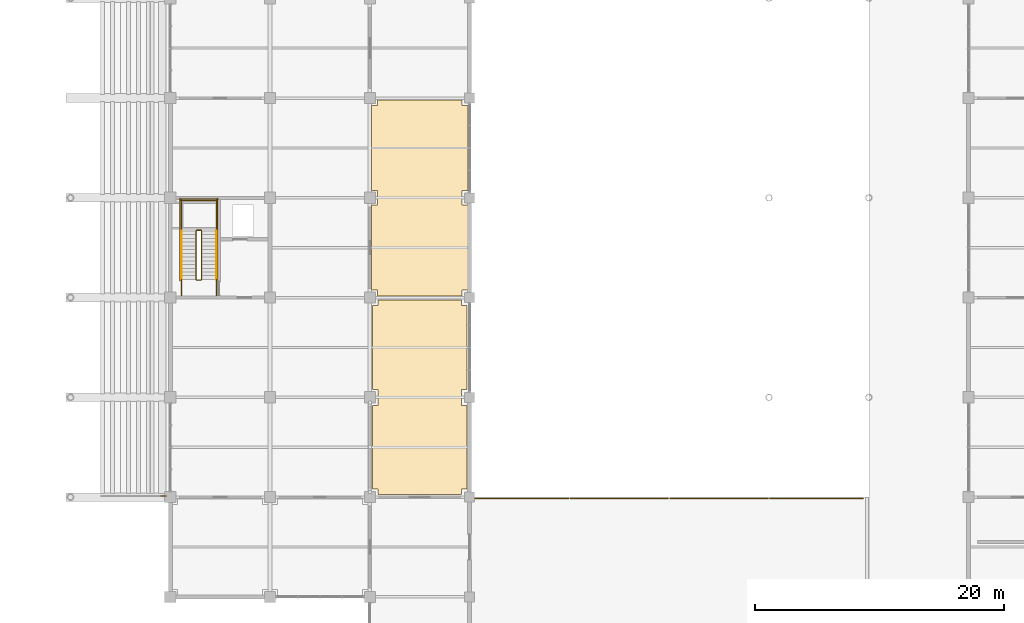
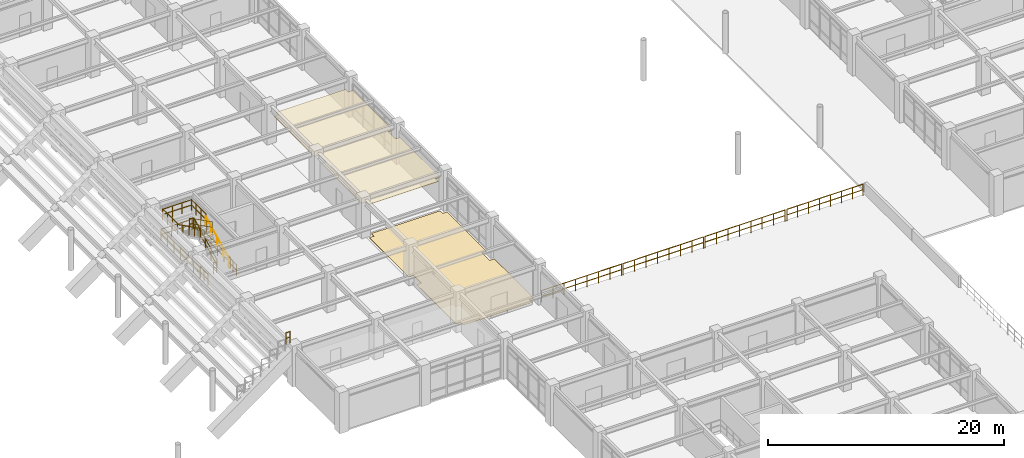
# One storey, part 112 of 118: 19 railings, 2 coverings.
"""IFC4 building model written with IfcOpenShell, lengths in metres."""

from ifc_helpers import new_model, si_unit, direction, frame, origin, origin_2d, place, context, subcontext, project, spatial, polyline, circle, outline, extrude, material, layer, layer_set, type_object, element, save


model = new_model("IFC4")

# Units and contexts
model_context = context("Model", 3, precision=1e-05, world=origin(), true_north=direction((0.0, 1.0)))
body_context = subcontext(model_context, "Body", "Model", "MODEL_VIEW")
ifc_project = project(units=[si_unit("LENGTHUNIT", "METRE"), si_unit("AREAUNIT", "SQUARE_METRE"), si_unit("VOLUMEUNIT", "CUBIC_METRE"), si_unit("PLANEANGLEUNIT", "RADIAN"), si_unit("MASSUNIT", "GRAM", prefix="KILO")], contexts=[model_context])

# Site, building, storey
site_placement = place(None, origin())
site = spatial("IfcSite", under=ifc_project, at=site_placement, CompositionType="ELEMENT")
building_placement = place(site_placement, origin())
building = spatial("IfcBuilding", under=site, at=building_placement, Name="Haebicheon Civic Stadium", CompositionType="ELEMENT")
storey_placement = place(building_placement, frame((0.0, 0.0, 14.39990234375)))
storey = spatial("IfcBuildingStorey", under=building, at=storey_placement, Name="L04", CompositionType="ELEMENT", Elevation=14.39990234375)

# Coverings
ifc_material_1 = material(Name="Perforated mineral-fibre acoustic board", Category="gypsum")
ifc_layer_1 = layer(ifc_material_1, 0.0400390625, Name="Perforated mineral-fibre acoustic board")
ifc_layer_set_1 = layer_set([ifc_layer_1], Name="Perforated mineral-fibre acoustic board")
covering_type_1 = type_object("IfcCoveringType", Name="COV-CLG-AC", PredefinedType="CEILING", material=ifc_layer_set_1)
covering_1_placement = place(storey_placement, frame((0.0, 0.0, 2.81005859375)))
element("IfcCovering", 1, at=covering_1_placement, inside=storey, type_object=covering_type_1, material=ifc_layer_set_1, Name="L04 Hospitality Suite acoustic ceiling", PredefinedType="CEILING", context=body_context, shape_type="SweptSolid", body=[
    extrude(outline(polyline([(160.594970703125, 64.14501953125), (160.594970703125, 64.594970703125), (160.14501953125, 64.594970703125), (160.14501953125, 71.405029296875), (160.594970703125, 71.405029296875), (160.594970703125, 72.594970703125), (160.14501953125, 72.594970703125), (160.14501953125, 79.405029296875), (160.594970703125, 79.405029296875), (160.594970703125, 79.85498046875), (167.405029296875, 79.85498046875), (167.405029296875, 79.405029296875), (167.85498046875, 79.405029296875), (167.85498046875, 72.594970703125), (167.405029296875, 72.594970703125), (167.405029296875, 71.405029296875), (167.85498046875, 71.405029296875), (167.85498046875, 64.594970703125), (167.405029296875, 64.594970703125), (167.405029296875, 64.14501953125), (160.594970703125, 64.14501953125)])), origin(), (0.0, 0.0, 1.0), 0.0400390625),
])
ifc_material_2 = material(Name="Quartz epoxy resin mortar", Category="concrete")
ifc_layer_2 = layer(ifc_material_2, 0.030029296875, Name="Quartz epoxy resin mortar")
ifc_layer_set_2 = layer_set([ifc_layer_2], Name="Quartz epoxy resin mortar")
covering_type_2 = type_object("IfcCoveringType", Name="COV-FLR-EPX", PredefinedType="FLOORING", material=ifc_layer_set_2)
covering_2_placement = place(storey_placement, origin())
element("IfcCovering", 2, at=covering_2_placement, inside=storey, type_object=covering_type_2, material=ifc_layer_set_2, Name="L04 Garden Terrace Dining Lounge non-slip floor finish", PredefinedType="FLOORING", context=body_context, shape_type="SweptSolid", body=[
    extrude(outline(polyline([(160.64990234375, 48.199951171875), (160.64990234375, 48.64990234375), (160.199951171875, 48.64990234375), (160.199951171875, 55.35009765625), (160.64990234375, 55.35009765625), (160.64990234375, 56.64990234375), (160.199951171875, 56.64990234375), (160.199951171875, 63.35009765625), (160.64990234375, 63.35009765625), (160.64990234375, 63.800048828125), (167.35009765625, 63.800048828125), (167.35009765625, 63.35009765625), (167.800048828125, 63.35009765625), (167.800048828125, 56.64990234375), (167.35009765625, 56.64990234375), (167.35009765625, 55.35009765625), (167.800048828125, 55.35009765625), (167.800048828125, 48.64990234375), (167.35009765625, 48.64990234375), (167.35009765625, 48.199951171875), (160.64990234375, 48.199951171875)])), origin(), (0.0, 0.0, 1.0), 0.030029296875),
])

# Railings
ifc_material_3 = material(Name="Stainless steel 316 and laminated glass", Category="steel")
railing_type_1 = type_object("IfcRailingType", Name="RL-BAL-1200", PredefinedType="BALUSTRADE", material=ifc_material_3)
for number, where, name in (
    (3, (168.080078125, 47.8798828125, 0.0), "L04 terrace perimeter balustrade 01"),
    (4, (176.080078125, 47.8798828125, 0.0), "L04 terrace perimeter balustrade 03"),
    (5, (184.080078125, 47.8798828125, 0.0), "L04 terrace perimeter balustrade 05"),
):
    element("IfcRailing", number, at=place(storey_placement, frame(where)), inside=storey, type_object=railing_type_1, material=ifc_material_3, Name=name, PredefinedType="BALUSTRADE", context=body_context, shape_type="SweptSolid", body=[
        extrude(circle(Radius=0.02392578125, at=origin_2d()), frame((0.0, 0.0, 1.17578125), z_axis=(1.0, 0.0, 0.0), x_axis=(0.0, 1.0, 0.0)), (0.0, 0.0, 1.0), 7.83984375),
        extrude(circle(Radius=0.02392578125, at=origin_2d()), frame((0.0, 0.0, 0.60009765625), z_axis=(1.0, 0.0, 0.0), x_axis=(0.0, 1.0, 0.0)), (0.0, 0.0, 1.0), 7.83984375),
        extrude(circle(Radius=0.02099609375, at=origin_2d()), origin(), (0.0, 0.0, 1.0), 1.15185546875),
        extrude(circle(Radius=0.02099609375, at=origin_2d()), frame((1.119873046875, 0.0, 0.0)), (0.0, 0.0, 1.0), 1.15185546875),
        extrude(circle(Radius=0.02099609375, at=origin_2d()), frame((2.239990234375, 0.0, 0.0)), (0.0, 0.0, 1.0), 1.15185546875),
        extrude(circle(Radius=0.02099609375, at=origin_2d()), frame((3.35986328125, 0.0, 0.0)), (0.0, 0.0, 1.0), 1.15185546875),
        extrude(circle(Radius=0.02099609375, at=origin_2d()), frame((4.47998046875, 0.0, 0.0)), (0.0, 0.0, 1.0), 1.15185546875),
        extrude(circle(Radius=0.02099609375, at=origin_2d()), frame((5.599853515625, 0.0, 0.0)), (0.0, 0.0, 1.0), 1.15185546875),
        extrude(circle(Radius=0.02099609375, at=origin_2d()), frame((6.719970703125, 0.0, 0.0)), (0.0, 0.0, 1.0), 1.15185546875),
        extrude(circle(Radius=0.02099609375, at=origin_2d()), frame((7.83984375, 0.0, 0.0)), (0.0, 0.0, 1.0), 1.15185546875),
    ])
railing_1_placement = place(storey_placement, frame((192.080078125, 47.8798828125, 0.0)))
element("IfcRailing", 6, at=railing_1_placement, inside=storey, type_object=railing_type_1, material=ifc_material_3, Name="L04 terrace perimeter balustrade 12", PredefinedType="BALUSTRADE", context=body_context, shape_type="SweptSolid", body=[
    extrude(circle(Radius=0.02392578125, at=origin_2d()), frame((0.0, 0.0, 1.17578125), z_axis=(1.0, 0.0, 0.0), x_axis=(0.0, 1.0, 0.0)), (0.0, 0.0, 1.0), 7.469970703125),
    extrude(circle(Radius=0.02392578125, at=origin_2d()), frame((0.0, 0.0, 0.60009765625), z_axis=(1.0, 0.0, 0.0), x_axis=(0.0, 1.0, 0.0)), (0.0, 0.0, 1.0), 7.469970703125),
    extrude(circle(Radius=0.02099609375, at=origin_2d()), origin(), (0.0, 0.0, 1.0), 1.15185546875),
    extrude(circle(Radius=0.02099609375, at=origin_2d()), frame((1.067138671875, 0.0, 0.0)), (0.0, 0.0, 1.0), 1.15185546875),
    extrude(circle(Radius=0.02099609375, at=origin_2d()), frame((2.13427734375, 0.0, 0.0)), (0.0, 0.0, 1.0), 1.15185546875),
    extrude(circle(Radius=0.02099609375, at=origin_2d()), frame((3.201416015625, 0.0, 0.0)), (0.0, 0.0, 1.0), 1.15185546875),
    extrude(circle(Radius=0.02099609375, at=origin_2d()), frame((4.2685546875, 0.0, 0.0)), (0.0, 0.0, 1.0), 1.15185546875),
    extrude(circle(Radius=0.02099609375, at=origin_2d()), frame((5.335693359375, 0.0, 0.0)), (0.0, 0.0, 1.0), 1.15185546875),
    extrude(circle(Radius=0.02099609375, at=origin_2d()), frame((6.40283203125, 0.0, 0.0)), (0.0, 0.0, 1.0), 1.15185546875),
    extrude(circle(Radius=0.02099609375, at=origin_2d()), frame((7.469970703125, 0.0, 0.0)), (0.0, 0.0, 1.0), 1.15185546875),
])
railing_2_placement = place(storey_placement, frame((143.239990234375, 48.10009765625, 4.2001953125)))
element("IfcRailing", 7, at=railing_2_placement, inside=storey, type_object=railing_type_1, material=ifc_material_3, Name="TIER-E-U end-aisle side guard S.10", PredefinedType="BALUSTRADE", context=body_context, shape_type="SweptSolid", body=[
    extrude(circle(Radius=0.02392578125, at=origin_2d()), frame((0.0, 0.0, 1.17578125), z_axis=(1.0, 0.0, 0.0), x_axis=(0.0, 1.0, 0.0)), (0.0, 0.0, 1.0), 0.39990234375),
    extrude(circle(Radius=0.02392578125, at=origin_2d()), frame((0.0, 0.0, 0.60009765625), z_axis=(1.0, 0.0, 0.0), x_axis=(0.0, 1.0, 0.0)), (0.0, 0.0, 1.0), 0.39990234375),
    extrude(circle(Radius=0.02099609375, at=origin_2d()), origin(), (0.0, 0.0, 1.0), 1.15185546875),
    extrude(circle(Radius=0.02099609375, at=origin_2d()), frame((0.39990234375, 0.0, 0.0)), (0.0, 0.0, 1.0), 1.15185546875),
])
ifc_material_4 = material(Name="Galvanised painted steel SM355", Category="steel")
railing_type_2 = type_object("IfcRailingType", Name="RL-GRD-1150", PredefinedType="GUARDRAIL", material=ifc_material_4)
railing_3_placement = place(storey_placement, frame((146.510009765625, 65.449951171875, 0.150146484375)))
element("IfcRailing", 8, at=railing_3_placement, inside=storey, type_object=railing_type_2, material=ifc_material_4, Name="L04 ST-10 stair guard 1", PredefinedType="GUARDRAIL", context=body_context, shape_type="SweptSolid", body=[
    extrude(circle(Radius=0.02392578125, at=origin_2d()), frame((0.0, 0.0, 1.1259765625), z_axis=(0.0, 0.894438388696, 0.447191199406), x_axis=(-1.0, 0.0, 0.0)), (0.0, 0.0, 1.0), 4.3603515625),
    extrude(circle(Radius=0.02392578125, at=origin_2d()), frame((0.0, 0.0, 0.574951171875), z_axis=(0.0, 0.894438388696, 0.447191199406), x_axis=(-1.0, 0.0, 0.0)), (0.0, 0.0, 1.0), 4.3603515625),
    extrude(circle(Radius=0.02099609375, at=origin_2d()), origin(), (0.0, 0.0, 1.0), 1.101806640625),
    extrude(circle(Radius=0.02099609375, at=origin_2d()), frame((0.0, 0.97509765625, 0.487548828125)), (0.0, 0.0, 1.0), 1.101806640625),
    extrude(circle(Radius=0.02099609375, at=origin_2d()), frame((0.0, 1.9501953125, 0.97509765625)), (0.0, 0.0, 1.0), 1.101806640625),
    extrude(circle(Radius=0.02099609375, at=origin_2d()), frame((0.0, 2.925048828125, 1.46240234375)), (0.0, 0.0, 1.0), 1.101806640625),
    extrude(circle(Radius=0.02099609375, at=origin_2d()), frame((0.0, 3.900146484375, 1.949951171875)), (0.0, 0.0, 1.0), 1.101806640625),
])
railing_4_placement = place(storey_placement, frame((146.4599609375, 69.39990234375, 2.10009765625)))
element("IfcRailing", 9, at=railing_4_placement, inside=storey, type_object=railing_type_2, material=ifc_material_4, Name="L04 ST-10 stair guard 2", PredefinedType="GUARDRAIL", context=body_context, shape_type="SweptSolid", body=[
    extrude(circle(Radius=0.02392578125, at=origin_2d()), frame((0.0, 0.0, 1.1259765625), z_axis=(-1.0, 0.0, 0.0), x_axis=(0.0, -1.0, 0.0)), (0.0, 0.0, 1.0), 0.33984375),
    extrude(circle(Radius=0.02392578125, at=origin_2d()), frame((0.0, 0.0, 0.574951171875), z_axis=(-1.0, 0.0, 0.0), x_axis=(0.0, -1.0, 0.0)), (0.0, 0.0, 1.0), 0.33984375),
    extrude(circle(Radius=0.02099609375, at=origin_2d()), origin(), (0.0, 0.0, 1.0), 1.101806640625),
    extrude(circle(Radius=0.02099609375, at=origin_2d()), frame((-0.33984375, 0.0, 0.0)), (0.0, 0.0, 1.0), 1.101806640625),
])
for number, where, name in (
    (10, (147.68994140625, 69.35009765625, 2.10009765625), "L04 ST-10 stair guard 3"),
    (11, (144.889892578125, 69.35009765625, 2.10009765625), "L04 ST-10 stair guard 4"),
):
    element("IfcRailing", number, at=place(storey_placement, frame(where)), inside=storey, type_object=railing_type_2, material=ifc_material_4, Name=name, PredefinedType="GUARDRAIL", context=body_context, shape_type="SweptSolid", body=[
        extrude(circle(Radius=0.02392578125, at=origin_2d()), frame((0.0, 0.0, 1.1259765625), z_axis=(0.0, 1.0, 0.0), x_axis=(-1.0, 0.0, 0.0)), (0.0, 0.0, 1.0), 2.489990234375),
        extrude(circle(Radius=0.02392578125, at=origin_2d()), frame((0.0, 0.0, 0.574951171875), z_axis=(0.0, 1.0, 0.0), x_axis=(-1.0, 0.0, 0.0)), (0.0, 0.0, 1.0), 2.489990234375),
        extrude(circle(Radius=0.02099609375, at=origin_2d()), origin(), (0.0, 0.0, 1.0), 1.101806640625),
        extrude(circle(Radius=0.02099609375, at=origin_2d()), frame((0.0, 0.830078125, 0.0)), (0.0, 0.0, 1.0), 1.101806640625),
        extrude(circle(Radius=0.02099609375, at=origin_2d()), frame((0.0, 1.659912109375, 0.0)), (0.0, 0.0, 1.0), 1.101806640625),
        extrude(circle(Radius=0.02099609375, at=origin_2d()), frame((0.0, 2.489990234375, 0.0)), (0.0, 0.0, 1.0), 1.101806640625),
    ])
railing_5_placement = place(storey_placement, frame((147.739990234375, 71.7900390625, 2.10009765625)))
element("IfcRailing", 12, at=railing_5_placement, inside=storey, type_object=railing_type_2, material=ifc_material_4, Name="L04 ST-10 stair guard 5", PredefinedType="GUARDRAIL", context=body_context, shape_type="SweptSolid", body=[
    extrude(circle(Radius=0.02392578125, at=origin_2d()), frame((0.0, 0.0, 1.1259765625), z_axis=(-1.0, 0.0, 0.0), x_axis=(0.0, -1.0, 0.0)), (0.0, 0.0, 1.0), 2.89990234375),
    extrude(circle(Radius=0.02392578125, at=origin_2d()), frame((0.0, 0.0, 0.574951171875), z_axis=(-1.0, 0.0, 0.0), x_axis=(0.0, -1.0, 0.0)), (0.0, 0.0, 1.0), 2.89990234375),
    extrude(circle(Radius=0.02099609375, at=origin_2d()), origin(), (0.0, 0.0, 1.0), 1.101806640625),
    extrude(circle(Radius=0.02099609375, at=origin_2d()), frame((-0.966552734375, 0.0, 0.0)), (0.0, 0.0, 1.0), 1.101806640625),
    extrude(circle(Radius=0.02099609375, at=origin_2d()), frame((-1.933349609375, 0.0, 0.0)), (0.0, 0.0, 1.0), 1.101806640625),
    extrude(circle(Radius=0.02099609375, at=origin_2d()), frame((-2.89990234375, 0.0, 0.0)), (0.0, 0.0, 1.0), 1.101806640625),
])
railing_6_placement = place(storey_placement, frame((146.070068359375, 69.35009765625, 2.25)))
element("IfcRailing", 13, at=railing_6_placement, inside=storey, type_object=railing_type_2, material=ifc_material_4, Name="L04 ST-10 stair guard 6", PredefinedType="GUARDRAIL", context=body_context, shape_type="SweptSolid", body=[
    extrude(circle(Radius=0.02392578125, at=origin_2d()), frame((0.0, 0.0, 1.1259765625), z_axis=(0.0, -0.894415993023, 0.447235990752), x_axis=(1.0, 0.0, 0.0)), (0.0, 0.0, 1.0), 4.360595703125),
    extrude(circle(Radius=0.02392578125, at=origin_2d()), frame((0.0, 0.0, 0.574951171875), z_axis=(0.0, -0.894415993023, 0.447235990752), x_axis=(1.0, 0.0, 0.0)), (0.0, 0.0, 1.0), 4.360595703125),
    extrude(circle(Radius=0.02099609375, at=origin_2d()), origin(), (0.0, 0.0, 1.0), 1.101806640625),
    extrude(circle(Radius=0.02099609375, at=origin_2d()), frame((0.0, -0.97509765625, 0.487548828125)), (0.0, 0.0, 1.0), 1.101806640625),
    extrude(circle(Radius=0.02099609375, at=origin_2d()), frame((0.0, -1.9501953125, 0.97509765625)), (0.0, 0.0, 1.0), 1.101806640625),
    extrude(circle(Radius=0.02099609375, at=origin_2d()), frame((0.0, -2.925048828125, 1.462646484375)), (0.0, 0.0, 1.0), 1.101806640625),
    extrude(circle(Radius=0.02099609375, at=origin_2d()), frame((0.0, -3.900146484375, 1.9501953125)), (0.0, 0.0, 1.0), 1.101806640625),
])
railing_7_placement = place(storey_placement, frame((146.4599609375, 65.39990234375, 0.0)))
element("IfcRailing", 14, at=railing_7_placement, inside=storey, type_object=railing_type_2, material=ifc_material_4, Name="L04 ST-10 stair guard 7", PredefinedType="GUARDRAIL", context=body_context, shape_type="SweptSolid", body=[
    extrude(circle(Radius=0.02392578125, at=origin_2d()), frame((0.0, 0.0, 1.1259765625), z_axis=(-1.0, 0.0, 0.0), x_axis=(0.0, -1.0, 0.0)), (0.0, 0.0, 1.0), 0.33984375),
    extrude(circle(Radius=0.02392578125, at=origin_2d()), frame((0.0, 0.0, 0.574951171875), z_axis=(-1.0, 0.0, 0.0), x_axis=(0.0, -1.0, 0.0)), (0.0, 0.0, 1.0), 0.33984375),
    extrude(circle(Radius=0.02099609375, at=origin_2d()), origin(), (0.0, 0.0, 1.0), 1.101806640625),
    extrude(circle(Radius=0.02099609375, at=origin_2d()), frame((-0.33984375, 0.0, 0.0)), (0.0, 0.0, 1.0), 1.101806640625),
])
for number, where, name in (
    (15, (147.68994140625, 64.159912109375, 0.0), "L04 ST-10 stair guard 8"),
    (16, (144.889892578125, 64.159912109375, 0.0), "L04 ST-10 stair guard 9"),
):
    element("IfcRailing", number, at=place(storey_placement, frame(where)), inside=storey, type_object=railing_type_2, material=ifc_material_4, Name=name, PredefinedType="GUARDRAIL", context=body_context, shape_type="SweptSolid", body=[
        extrude(circle(Radius=0.02392578125, at=origin_2d()), frame((0.0, 0.0, 1.1259765625), z_axis=(0.0, 1.0, 0.0), x_axis=(-1.0, 0.0, 0.0)), (0.0, 0.0, 1.0), 1.2900390625),
        extrude(circle(Radius=0.02392578125, at=origin_2d()), frame((0.0, 0.0, 0.574951171875), z_axis=(0.0, 1.0, 0.0), x_axis=(-1.0, 0.0, 0.0)), (0.0, 0.0, 1.0), 1.2900390625),
        extrude(circle(Radius=0.02099609375, at=origin_2d()), origin(), (0.0, 0.0, 1.0), 1.101806640625),
        extrude(circle(Radius=0.02099609375, at=origin_2d()), frame((0.0, 0.64501953125, 0.0)), (0.0, 0.0, 1.0), 1.101806640625),
        extrude(circle(Radius=0.02099609375, at=origin_2d()), frame((0.0, 1.2900390625, 0.0)), (0.0, 0.0, 1.0), 1.101806640625),
    ])
for number, where, name in (
    (17, (147.7900390625, 65.35009765625, 0.0), "L04 ST-10 stair guard 10"),
    (18, (144.7900390625, 65.35009765625, 0.0), "L04 ST-10 stair guard 11"),
):
    element("IfcRailing", number, at=place(storey_placement, frame(where)), inside=storey, type_object=railing_type_2, material=ifc_material_4, Name=name, PredefinedType="GUARDRAIL", context=body_context, shape_type="SweptSolid", body=[
        extrude(circle(Radius=0.02392578125, at=origin_2d()), frame((0.0, 0.0, 1.1259765625), z_axis=(0.0, 1.0, 0.0), x_axis=(-1.0, 0.0, 0.0)), (0.0, 0.0, 1.0), 6.58984375),
        extrude(circle(Radius=0.02392578125, at=origin_2d()), frame((0.0, 0.0, 0.574951171875), z_axis=(0.0, 1.0, 0.0), x_axis=(-1.0, 0.0, 0.0)), (0.0, 0.0, 1.0), 6.58984375),
        extrude(circle(Radius=0.02099609375, at=origin_2d()), origin(), (0.0, 0.0, 1.0), 1.101806640625),
        extrude(circle(Radius=0.02099609375, at=origin_2d()), frame((0.0, 1.098388671875, 0.0)), (0.0, 0.0, 1.0), 1.101806640625),
        extrude(circle(Radius=0.02099609375, at=origin_2d()), frame((0.0, 2.196533203125, 0.0)), (0.0, 0.0, 1.0), 1.101806640625),
        extrude(circle(Radius=0.02099609375, at=origin_2d()), frame((0.0, 3.294921875, 0.0)), (0.0, 0.0, 1.0), 1.101806640625),
        extrude(circle(Radius=0.02099609375, at=origin_2d()), frame((0.0, 4.393310546875, 0.0)), (0.0, 0.0, 1.0), 1.101806640625),
        extrude(circle(Radius=0.02099609375, at=origin_2d()), frame((0.0, 5.491455078125, 0.0)), (0.0, 0.0, 1.0), 1.101806640625),
        extrude(circle(Radius=0.02099609375, at=origin_2d()), frame((0.0, 6.58984375, 0.0)), (0.0, 0.0, 1.0), 1.101806640625),
    ])
railing_8_placement = place(storey_placement, frame((147.840087890625, 71.889892578125, 0.0)))
element("IfcRailing", 19, at=railing_8_placement, inside=storey, type_object=railing_type_2, material=ifc_material_4, Name="L04 ST-10 stair guard 12", PredefinedType="GUARDRAIL", context=body_context, shape_type="SweptSolid", body=[
    extrude(circle(Radius=0.02392578125, at=origin_2d()), frame((0.0, 0.0, 1.1259765625), z_axis=(-1.0, 0.0, 0.0), x_axis=(0.0, -1.0, 0.0)), (0.0, 0.0, 1.0), 3.10009765625),
    extrude(circle(Radius=0.02392578125, at=origin_2d()), frame((0.0, 0.0, 0.574951171875), z_axis=(-1.0, 0.0, 0.0), x_axis=(0.0, -1.0, 0.0)), (0.0, 0.0, 1.0), 3.10009765625),
    extrude(circle(Radius=0.02099609375, at=origin_2d()), origin(), (0.0, 0.0, 1.0), 1.101806640625),
    extrude(circle(Radius=0.02099609375, at=origin_2d()), frame((-1.033447265625, 0.0, 0.0)), (0.0, 0.0, 1.0), 1.101806640625),
    extrude(circle(Radius=0.02099609375, at=origin_2d()), frame((-2.066650390625, 0.0, 0.0)), (0.0, 0.0, 1.0), 1.101806640625),
    extrude(circle(Radius=0.02099609375, at=origin_2d()), frame((-3.10009765625, 0.0, 0.0)), (0.0, 0.0, 1.0), 1.101806640625),
])
ifc_material_5 = material(Name="Stainless steel 316", Category="steel")
railing_type_3 = type_object("IfcRailingType", Name="RL-HND-900", PredefinedType="HANDRAIL", material=ifc_material_5)
railing_9_placement = place(storey_placement, frame((147.68994140625, 65.449951171875, 0.150146484375)))
element("IfcRailing", 20, at=railing_9_placement, inside=storey, type_object=railing_type_3, material=ifc_material_5, Name="L04 ST-10 stair handrail 1", PredefinedType="HANDRAIL", context=body_context, shape_type="SweptSolid", body=[
    extrude(circle(Radius=0.02392578125, at=origin_2d()), frame((0.0, 0.0, 0.8759765625), z_axis=(0.0, 0.894438388696, 0.447191199406), x_axis=(-1.0, 0.0, 0.0)), (0.0, 0.0, 1.0), 4.3603515625),
    extrude(circle(Radius=0.02099609375, at=origin_2d()), origin(), (0.0, 0.0, 1.0), 0.851806640625),
    extrude(circle(Radius=0.02099609375, at=origin_2d()), frame((0.0, 0.97509765625, 0.487548828125)), (0.0, 0.0, 1.0), 0.851806640625),
    extrude(circle(Radius=0.02099609375, at=origin_2d()), frame((0.0, 1.9501953125, 0.97509765625)), (0.0, 0.0, 1.0), 0.851806640625),
    extrude(circle(Radius=0.02099609375, at=origin_2d()), frame((0.0, 2.925048828125, 1.46240234375)), (0.0, 0.0, 1.0), 0.851806640625),
    extrude(circle(Radius=0.02099609375, at=origin_2d()), frame((0.0, 3.900146484375, 1.949951171875)), (0.0, 0.0, 1.0), 0.851806640625),
])
railing_10_placement = place(storey_placement, frame((144.889892578125, 69.35009765625, 2.25)))
element("IfcRailing", 21, at=railing_10_placement, inside=storey, type_object=railing_type_3, material=ifc_material_5, Name="L04 ST-10 stair handrail 2", PredefinedType="HANDRAIL", context=body_context, shape_type="SweptSolid", body=[
    extrude(circle(Radius=0.02392578125, at=origin_2d()), frame((0.0, 0.0, 0.8759765625), z_axis=(0.0, -0.894415993023, 0.447235990752), x_axis=(1.0, 0.0, 0.0)), (0.0, 0.0, 1.0), 4.360595703125),
    extrude(circle(Radius=0.02099609375, at=origin_2d()), origin(), (0.0, 0.0, 1.0), 0.851806640625),
    extrude(circle(Radius=0.02099609375, at=origin_2d()), frame((0.0, -0.97509765625, 0.487548828125)), (0.0, 0.0, 1.0), 0.851806640625),
    extrude(circle(Radius=0.02099609375, at=origin_2d()), frame((0.0, -1.9501953125, 0.97509765625)), (0.0, 0.0, 1.0), 0.851806640625),
    extrude(circle(Radius=0.02099609375, at=origin_2d()), frame((0.0, -2.925048828125, 1.462646484375)), (0.0, 0.0, 1.0), 0.851806640625),
    extrude(circle(Radius=0.02099609375, at=origin_2d()), frame((0.0, -3.900146484375, 1.9501953125)), (0.0, 0.0, 1.0), 0.851806640625),
])

save(model, "model.ifc")
